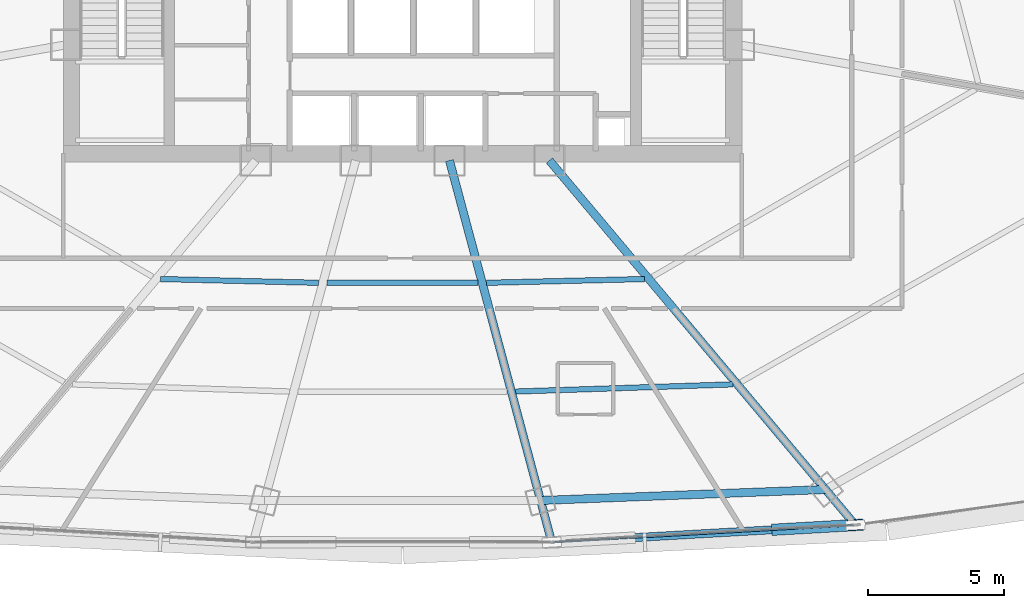
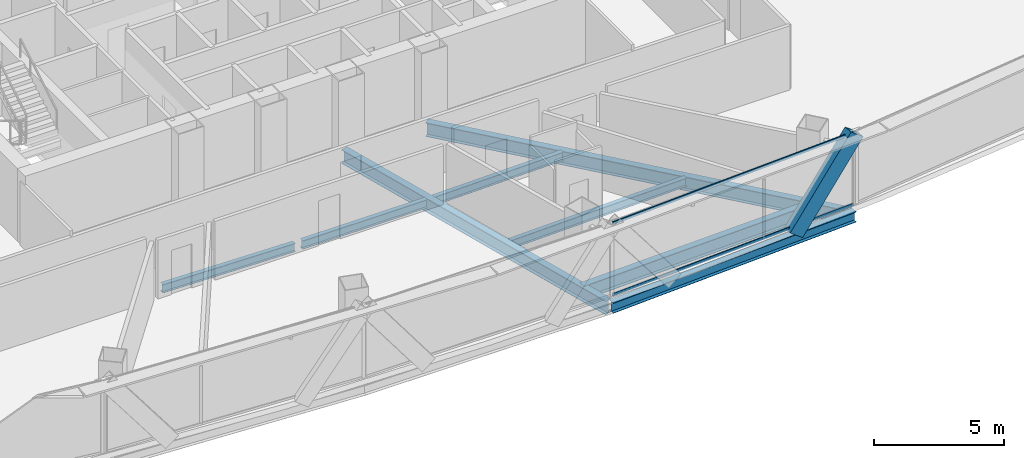
# One storey, part 13 of 39: 8 beams, 3 members, 1 element without a shape of its own.
"""IFC4 building model written with IfcOpenShell, lengths in metres."""

from ifc_helpers import new_model, si_unit, direction, frame, origin, origin_2d, place, context, subcontext, project, spatial, hollow_rectangle, i_section, extrude, source, transform, mapped, material, layer, layer_set, material_profile, profile_set, type_object, element, aggregate, save


model = new_model("IFC4")

# Units and contexts
model_context = context("Model", 3, precision=1e-05, world=origin(), true_north=direction((0.0, 1.0)))
body_context = subcontext(model_context, "Body", "Model", "MODEL_VIEW")
ifc_project = project(units=[si_unit("LENGTHUNIT", "METRE"), si_unit("AREAUNIT", "SQUARE_METRE"), si_unit("VOLUMEUNIT", "CUBIC_METRE"), si_unit("PLANEANGLEUNIT", "RADIAN"), si_unit("MASSUNIT", "GRAM", prefix="KILO"), si_unit("THERMODYNAMICTEMPERATUREUNIT", "KELVIN"), si_unit("POWERUNIT", "WATT")], contexts=[model_context])

# Site, building, storey
site_placement = place(None, origin())
site = spatial("IfcSite", under=ifc_project, at=site_placement, CompositionType="ELEMENT")
building_placement = place(site_placement, origin())
building = spatial("IfcBuilding", under=site, at=building_placement, Name="Yunzhuo Pagoda Commons", CompositionType="ELEMENT")
storey_placement = place(building_placement, frame((0.0, 0.0, 140.8701171875)))
storey = spatial("IfcBuildingStorey", under=building, at=storey_placement, Name="L35", CompositionType="ELEMENT", Elevation=140.8701171875)

# Beams
ifc_material_1 = material(Name="Structural steel Q355B", Category="steel")
ifc_material_profile_1 = material_profile(ifc_material_1, i_section(OverallWidth=0.300048828125, OverallDepth=0.64990234375, WebThickness=0.012939453125, FlangeThickness=0.02197265625, at=origin_2d()), Name="Structural steel Q355B")
ifc_profile_set_1 = profile_set([ifc_material_profile_1], Name="Structural steel Q355B")
beam_type_1 = type_object("IfcBeamType", Name="B-RG2 Beam HN 650x300x13x22", PredefinedType="BEAM", material=ifc_profile_set_1)
shared_shape_1 = source(origin(), body_context, "Body", "SweptSolid", [
    extrude(i_section(OverallWidth=0.300048828125, OverallDepth=0.64990234375, WebThickness=0.012939453125, FlangeThickness=0.02197265625, at=origin_2d()), origin(), (0.0, 0.0, 1.0), 10.5078125),
])
beam_1_placement = place(storey_placement, frame((53.085205078125, 14.7216796875, -0.585205078125), z_axis=(0.999258632812, 0.03849915259, 0.0), x_axis=(-0.03849915259, 0.999258632812, 0.0)))
element("IfcBeam", 1, at=beam_1_placement, inside=storey, type_object=beam_type_1, Name="L35 column-ring beam 3", PredefinedType="BEAM", context=body_context, shape_type="MappedRepresentation", body=[
    mapped(shared_shape_1, transform((0.0, 0.0, 0.0), scale=1.0)),
])
ifc_material_profile_2 = material_profile(ifc_material_1, i_section(OverallWidth=0.199951171875, OverallDepth=0.39990234375, WebThickness=0.008056640625, FlangeThickness=0.012939453125, at=origin_2d()), Name="Structural steel Q355B")
ifc_profile_set_2 = profile_set([ifc_material_profile_2], Name="Structural steel Q355B")
beam_type_2 = type_object("IfcBeamType", Name="B-JS1 Joist HN 400x200x8x13", PredefinedType="JOIST", material=ifc_profile_set_2)
shared_shape_2 = source(origin(), body_context, "Body", "SweptSolid", [
    extrude(i_section(OverallWidth=0.199951171875, OverallDepth=0.39990234375, WebThickness=0.008056640625, FlangeThickness=0.012939453125, at=origin_2d()), origin(), (0.0, 0.0, 1.0), 5.821533203125),
])
for number, where, z_axis, x_axis, name in (
    (2, (39.08447265625, 22.881591796875, -0.460205078125), (0.999718239795, -0.023736912649, 0.0), (0.023736912649, 0.999718239795, 0.0), "L35 composite ring joist 1.1"),
    (3, (51.095703125, 22.743408203125, -0.460205078125), (0.999718239795, 0.023736912649, 0.0), (-0.023736912649, 0.999718239795, 0.0), "L35 composite ring joist 1.3"),
):
    element("IfcBeam", number, at=place(storey_placement, frame(where, z_axis=z_axis, x_axis=x_axis)), inside=storey, type_object=beam_type_2, Name=name, PredefinedType="JOIST", context=body_context, shape_type="MappedRepresentation", body=[
        mapped(shared_shape_2, transform((0.0, 0.0, 0.0), scale=1.0)),
    ])
shared_shape_3 = source(origin(), body_context, "Body", "SweptSolid", [
    extrude(i_section(OverallWidth=0.199951171875, OverallDepth=0.39990234375, WebThickness=0.008056640625, FlangeThickness=0.012939453125, at=origin_2d()), origin(), (0.0, 0.0, 1.0), 8.00537109375),
])
beam_2_placement = place(storey_placement, frame((52.169921875, 18.73583984375, -0.460205078125), z_axis=(0.999453403952, 0.033058937199, 0.0), x_axis=(-0.033058937199, 0.999453403952, 0.0)))
element("IfcBeam", 4, at=beam_2_placement, inside=storey, type_object=beam_type_2, Name="L35 composite ring joist 2.3", PredefinedType="JOIST", context=body_context, shape_type="MappedRepresentation", body=[
    mapped(shared_shape_3, transform((0.0, 0.0, 0.0), scale=1.0)),
])
shared_shape_4 = source(origin(), body_context, "Body", "SweptSolid", [
    extrude(i_section(OverallWidth=0.199951171875, OverallDepth=0.39990234375, WebThickness=0.008056640625, FlangeThickness=0.012939453125, at=origin_2d()), origin(), (0.0, 0.0, 1.0), 5.5556640625),
])
beam_3_placement = place(storey_placement, frame((45.22216796875, 22.73974609375, -0.460205078125), z_axis=(1.0, 0.0, 0.0), x_axis=(0.0, 1.0, 0.0)))
element("IfcBeam", 5, at=beam_3_placement, inside=storey, type_object=beam_type_2, Name="L35 composite ring joist 1.2", PredefinedType="JOIST", context=body_context, shape_type="MappedRepresentation", body=[
    mapped(shared_shape_4, transform((0.0, 0.0, 0.0), scale=1.0)),
])
shared_shape_5 = source(origin(), body_context, "Body", "SweptSolid", [
    extrude(i_section(OverallWidth=0.300048828125, OverallDepth=0.64990234375, WebThickness=0.012939453125, FlangeThickness=0.02197265625, at=origin_2d()), origin(), (0.0, 0.0, 1.0), 14.41064453125),
])
beam_4_placement = place(storey_placement, frame((53.4580078125, 13.330322265625, -0.585205078125), z_axis=(-0.258801290743, 0.96593058338, 0.0), x_axis=(-0.96593058338, -0.258801290743, 0.0)))
element("IfcBeam", 6, at=beam_4_placement, inside=storey, type_object=beam_type_1, Name="L35 radial floor girder F1C3", PredefinedType="BEAM", context=body_context, shape_type="MappedRepresentation", body=[
    mapped(shared_shape_5, transform((0.0, 0.0, 0.0), scale=1.0)),
])
shared_shape_6 = source(origin(), body_context, "Body", "SweptSolid", [
    extrude(i_section(OverallWidth=0.300048828125, OverallDepth=0.64990234375, WebThickness=0.012939453125, FlangeThickness=0.02197265625, at=origin_2d()), origin(), (0.0, 0.0, 1.0), 17.383544921875),
])
beam_5_placement = place(storey_placement, frame((64.586181640625, 13.93359375, -0.585205078125), z_axis=(-0.642797085121, 0.766036492186, 0.0), x_axis=(-0.766036492186, -0.642797085121, 0.0)))
element("IfcBeam", 7, at=beam_5_placement, inside=storey, type_object=beam_type_1, Name="L35 radial floor girder F1C4", PredefinedType="BEAM", context=body_context, shape_type="MappedRepresentation", body=[
    mapped(shared_shape_6, transform((0.0, 0.0, 0.0), scale=1.0)),
])
ifc_material_profile_3 = material_profile(ifc_material_1, i_section(OverallWidth=0.300048828125, OverallDepth=0.488037109375, WebThickness=0.010986328125, FlangeThickness=0.01806640625, at=origin_2d()), Name="Structural steel Q355B")
ifc_profile_set_3 = profile_set([ifc_material_profile_3], Name="Structural steel Q355B")
beam_type_3 = type_object("IfcBeamType", Name="B-SP1 Beam HM 488x300x11x18", PredefinedType="BEAM", material=ifc_profile_set_3)
shared_shape_7 = source(origin(), body_context, "Body", "SweptSolid", [
    extrude(i_section(OverallWidth=0.300048828125, OverallDepth=0.488037109375, WebThickness=0.010986328125, FlangeThickness=0.01806640625, at=origin_2d()), origin(), (0.0, 0.0, 1.0), 11.20556640625),
])
beam_6_placement = place(storey_placement, frame((53.498046875, 13.1806640625, -0.504150390625), z_axis=(0.998396692346, 0.056604281746, 0.0), x_axis=(-0.056604281746, 0.998396692346, 0.0)))
element("IfcBeam", 8, at=beam_6_placement, inside=storey, type_object=beam_type_3, Name="L35 facade edge spandrel beam F1.3", PredefinedType="BEAM", context=body_context, shape_type="MappedRepresentation", body=[
    mapped(shared_shape_7, transform((0.0, 0.0, 0.0), scale=1.0)),
])

# Member
ifc_material_2 = material(Name="Structural steel Q420B", Category="steel")
ifc_material_profile_4 = material_profile(ifc_material_2, hollow_rectangle(XDim=0.419921875, YDim=0.719970703125, WallThickness=0.028076171875, at=origin_2d()), Name="Structural steel Q420B")
ifc_profile_set_4 = profile_set([ifc_material_profile_4], Name="Structural steel Q420B")
member_type_1 = type_object("IfcMemberType", Name="M-DL1 Brace BOX 720x420x28", PredefinedType="BRACE", material=ifc_profile_set_4)
shared_shape_8 = source(origin(), body_context, "Body", "SweptSolid", [
    extrude(hollow_rectangle(XDim=0.419921875, YDim=0.719970703125, WallThickness=0.028076171875, at=origin_2d()), origin(), (0.0, 0.0, 1.0), 4.625),
])
member_1_placement = place(storey_placement, frame((61.888671875, 13.65625, -0.260009765625), z_axis=(0.604744365937, 0.034312485847, 0.795680152563), x_axis=(-0.056647717242, 0.998394228815, 0.0)))
element("IfcMember", 9, at=member_1_placement, inside=storey, type_object=member_type_1, Name="L35 facade diamond brace F1.3R", PredefinedType="BRACE", context=body_context, shape_type="MappedRepresentation", body=[
    mapped(shared_shape_8, transform((0.0, 0.0, 0.0), scale=1.0)),
])

# Curtain wall, members
ifc_material_3 = material(Name="Anodized aluminium 6063-T6", Category="aluminium")
ifc_layer = layer(ifc_material_3, 0.14990234375)
ifc_layer_set = layer_set([ifc_layer], Name="Anodized aluminium 6063-T6")
curtain_wall_type = type_object("IfcCurtainWallType", Name="CW-MID Mid-Zone Ribbon Curtain Wall", PredefinedType="NOTDEFINED", material=ifc_layer_set)
curtain_wall_placement = place(storey_placement, origin())
curtain_wall = element("IfcCurtainWall", 10, at=curtain_wall_placement, inside=storey, type_object=curtain_wall_type, Name="L35 curtain wall CW-L35-F1B4", PredefinedType="NOTDEFINED")
ifc_material_profile_5 = material_profile(ifc_material_3, hollow_rectangle(XDim=0.054931640625, YDim=0.1298828125, WallThickness=0.00341796875, at=origin_2d()), Name="Anodized aluminium 6063-T6")
ifc_profile_set_5 = profile_set([ifc_material_profile_5], Name="Anodized aluminium 6063-T6")
member_type_2 = type_object("IfcMemberType", Name="CW-MID-T Transom RHS 130x55x3.5", PredefinedType="USERDEFINED", material=ifc_profile_set_5)
shared_shape_9 = source(origin(), body_context, "Body", "SweptSolid", [
    extrude(hollow_rectangle(XDim=0.054931640625, YDim=0.1298828125, WallThickness=0.00341796875, at=origin_2d()), origin(), (0.0, 0.0, 1.0), 11.085205078125),
])
member_2_placement = place(storey_placement, frame((53.558349609375, 13.18408203125, 0.02734375), z_axis=(0.998396824241, 0.056601955314, 0.0), x_axis=(-0.056601955314, 0.998396824241, 0.0)))
member_2 = element("IfcMember", 11, at=member_2_placement, type_object=member_type_2, Name="CW transom 1.1", ObjectType="TRANSOM", PredefinedType="USERDEFINED", context=body_context, shape_type="MappedRepresentation", body=[
    mapped(shared_shape_9, transform((0.0, 0.0, 0.0), scale=1.0)),
])
member_3_placement = place(storey_placement, frame((53.558349609375, 13.18408203125, 3.392333984375), z_axis=(0.998396824241, 0.056601955314, 0.0), x_axis=(-0.056601955314, 0.998396824241, 0.0)))
member_3 = element("IfcMember", 12, at=member_3_placement, type_object=member_type_2, Name="CW transom 1.2", ObjectType="TRANSOM", PredefinedType="USERDEFINED", context=body_context, shape_type="MappedRepresentation", body=[
    mapped(shared_shape_9, transform((0.0, 0.0, 0.0), scale=1.0)),
])
aggregate(curtain_wall, [member_2, member_3])

save(model, "model.ifc")
